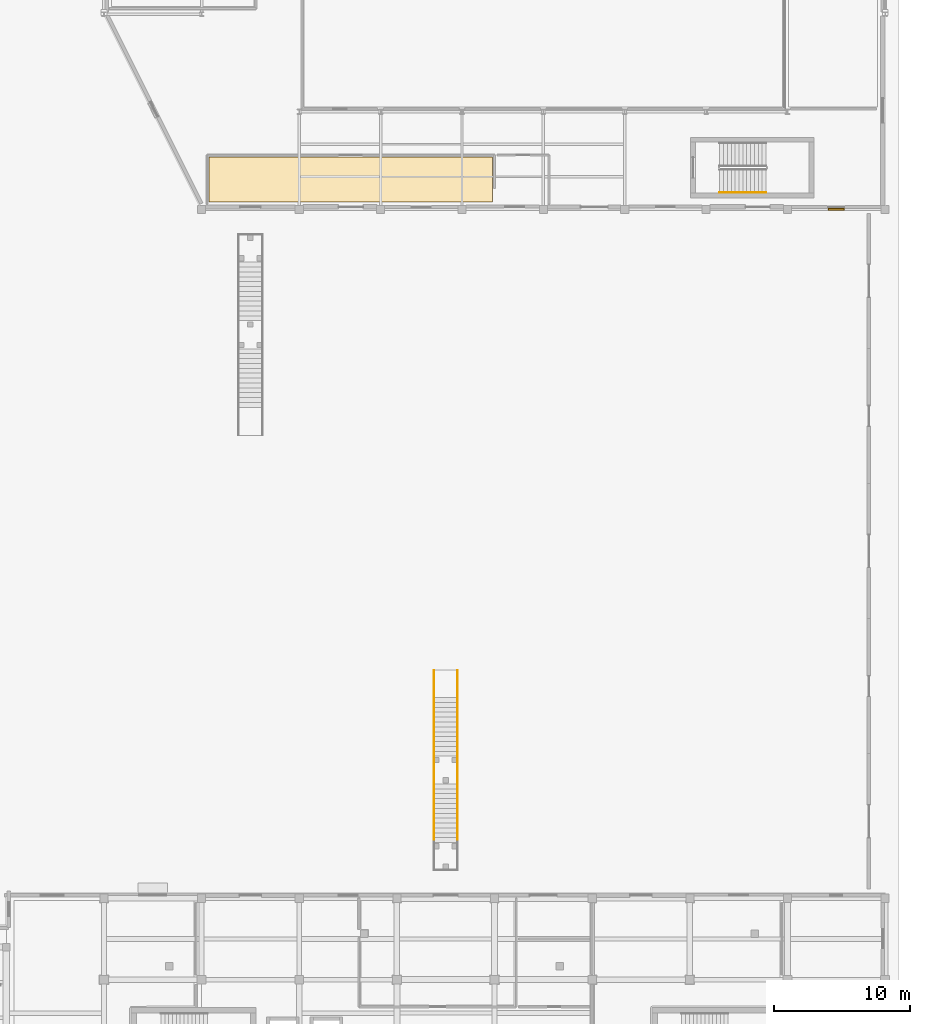
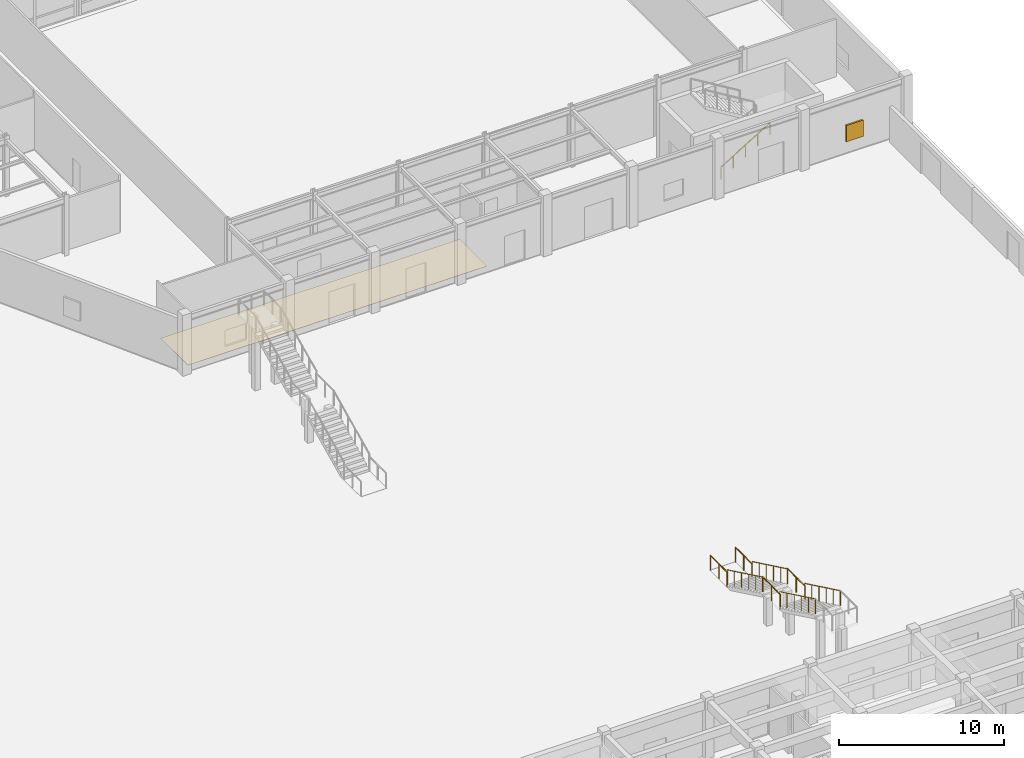
# One storey, part 56 of 58: 9 railings, 1 covering, 1 shading device.
"""IFC4 building model written with IfcOpenShell, lengths in metres."""

from ifc_helpers import new_model, si_unit, direction, frame, origin, origin_2d, place, context, subcontext, project, spatial, polyline, rectangle, circle, outline, extrude, material, layer, layer_set, type_object, element, save


model = new_model("IFC4")

# Units and contexts
model_context = context("Model", 3, precision=1e-05, world=origin(), true_north=direction((0.0, 1.0)))
body_context = subcontext(model_context, "Body", "Model", "MODEL_VIEW")
ifc_project = project(units=[si_unit("LENGTHUNIT", "METRE"), si_unit("AREAUNIT", "SQUARE_METRE"), si_unit("VOLUMEUNIT", "CUBIC_METRE"), si_unit("PLANEANGLEUNIT", "RADIAN"), si_unit("MASSUNIT", "GRAM", prefix="KILO")], contexts=[model_context])

# Site, building, storey
site_placement = place(None, origin())
site = spatial("IfcSite", under=ifc_project, at=site_placement, CompositionType="ELEMENT")
building_placement = place(site_placement, origin())
building = spatial("IfcBuilding", under=site, at=building_placement, Name="Brisavento Harbour Community Centre", CompositionType="ELEMENT")
storey_placement = place(building_placement, origin())
storey = spatial("IfcBuildingStorey", under=building, at=storey_placement, Name="L00", CompositionType="ELEMENT", Elevation=0.0)

# Covering
ifc_material_1 = material(Name="Polished marine terrazzo tile", Category="other")
ifc_layer_1 = layer(ifc_material_1, 0.02001953125, Name="Polished marine terrazzo tile")
ifc_layer_set_1 = layer_set([ifc_layer_1], Name="Polished marine terrazzo tile")
covering_type = type_object("IfcCoveringType", Name="COV-FLR-TRZ", PredefinedType="FLOORING", material=ifc_layer_set_1)
covering_placement = place(storey_placement, origin())
element("IfcCovering", 1, at=covering_placement, inside=storey, type_object=covering_type, Name="L00 Sports Reception Foyer terrazzo flooring", PredefinedType="FLOORING", context=body_context, shape_type="SweptSolid", body=[
    extrude(outline(polyline([(143.85009765625, 79.75), (143.85009765625, 83.050048828125), (122.949951171875, 83.050048828125), (122.949951171875, 79.75), (143.85009765625, 79.75)])), origin(), (0.0, 0.0, 1.0), 0.02001953125),
])

# Railings
ifc_material_2 = material(Name="Stainless steel 1.4401", Category="steel")
railing_type_1 = type_object("IfcRailingType", Name="RL-ST-GUARD", PredefinedType="GUARDRAIL", material=ifc_material_2)
railing_1_placement = place(storey_placement, frame((139.530029296875, 45.2099609375, 0.0)))
element("IfcRailing", 2, at=railing_1_placement, inside=storey, type_object=railing_type_1, Name="L00 MST-05 L L1 stair guard", PredefinedType="GUARDRAIL", context=body_context, shape_type="SweptSolid", body=[
    extrude(circle(Radius=0.02392578125, at=origin_2d()), frame((0.0, 0.0, 1.09619140625), z_axis=(0.0, -1.0, 0.0), x_axis=(1.0, 0.0, 0.0)), (0.0, 0.0, 1.0), 2.010009765625),
    extrude(circle(Radius=0.02099609375, at=origin_2d()), origin(), (0.0, 0.0, 1.0), 1.072021484375),
    extrude(circle(Radius=0.02099609375, at=origin_2d()), frame((0.0, -1.0048828125, 0.0)), (0.0, 0.0, 1.0), 1.072021484375),
    extrude(circle(Radius=0.02099609375, at=origin_2d()), frame((0.0, -2.010009765625, 0.0)), (0.0, 0.0, 1.0), 1.072021484375),
])
railing_2_placement = place(storey_placement, frame((139.530029296875, 43.199951171875, 0.173095703125)))
element("IfcRailing", 3, at=railing_2_placement, inside=storey, type_object=railing_type_1, Name="L00 MST-05 L F1 stair guard", PredefinedType="GUARDRAIL", context=body_context, shape_type="SweptSolid", body=[
    extrude(circle(Radius=0.02392578125, at=origin_2d()), frame((0.0, 0.0, 1.09619140625), z_axis=(0.0, -0.901256631912, 0.433285683395), x_axis=(1.0, 0.0, 0.0)), (0.0, 0.0, 1.0), 4.79345703125),
    extrude(circle(Radius=0.02099609375, at=origin_2d()), origin(), (0.0, 0.0, 1.0), 1.072021484375),
    extrude(circle(Radius=0.02099609375, at=origin_2d()), frame((0.0, -0.864013671875, 0.415283203125)), (0.0, 0.0, 1.0), 1.072021484375),
    extrude(circle(Radius=0.02099609375, at=origin_2d()), frame((0.0, -1.72802734375, 0.830810546875)), (0.0, 0.0, 1.0), 1.072021484375),
    extrude(circle(Radius=0.02099609375, at=origin_2d()), frame((0.0, -2.592041015625, 1.24609375)), (0.0, 0.0, 1.0), 1.072021484375),
    extrude(circle(Radius=0.02099609375, at=origin_2d()), frame((0.0, -3.4560546875, 1.66162109375)), (0.0, 0.0, 1.0), 1.072021484375),
    extrude(circle(Radius=0.02099609375, at=origin_2d()), frame((0.0, -4.320068359375, 2.076904296875)), (0.0, 0.0, 1.0), 1.072021484375),
])
railing_3_placement = place(storey_placement, frame((139.530029296875, 38.919921875, 2.25)))
element("IfcRailing", 4, at=railing_3_placement, inside=storey, type_object=railing_type_1, Name="L00 MST-05 L L2 stair guard", PredefinedType="GUARDRAIL", context=body_context, shape_type="SweptSolid", body=[
    extrude(circle(Radius=0.02392578125, at=origin_2d()), frame((0.0, 0.0, 1.09619140625), z_axis=(0.0, -1.0, 0.0), x_axis=(1.0, 0.0, 0.0)), (0.0, 0.0, 1.0), 2.1298828125),
    extrude(circle(Radius=0.02099609375, at=origin_2d()), origin(), (0.0, 0.0, 1.0), 1.072021484375),
    extrude(circle(Radius=0.02099609375, at=origin_2d()), frame((0.0, -1.06494140625, 0.0)), (0.0, 0.0, 1.0), 1.072021484375),
    extrude(circle(Radius=0.02099609375, at=origin_2d()), frame((0.0, -2.1298828125, 0.0)), (0.0, 0.0, 1.0), 1.072021484375),
])
railing_4_placement = place(storey_placement, frame((139.530029296875, 36.830078125, 2.423095703125)))
element("IfcRailing", 5, at=railing_4_placement, inside=storey, type_object=railing_type_1, Name="L00 MST-05 L F2 stair guard", PredefinedType="GUARDRAIL", context=body_context, shape_type="SweptSolid", body=[
    extrude(circle(Radius=0.02392578125, at=origin_2d()), frame((0.0, 0.0, 1.09619140625), z_axis=(0.0, -0.901256631912, 0.433285683395), x_axis=(1.0, 0.0, 0.0)), (0.0, 0.0, 1.0), 4.79345703125),
    extrude(circle(Radius=0.02099609375, at=origin_2d()), origin(), (0.0, 0.0, 1.0), 1.072021484375),
    extrude(circle(Radius=0.02099609375, at=origin_2d()), frame((0.0, -0.864013671875, 0.415283203125)), (0.0, 0.0, 1.0), 1.072021484375),
    extrude(circle(Radius=0.02099609375, at=origin_2d()), frame((0.0, -1.72802734375, 0.830810546875)), (0.0, 0.0, 1.0), 1.072021484375),
    extrude(circle(Radius=0.02099609375, at=origin_2d()), frame((0.0, -2.592041015625, 1.24609375)), (0.0, 0.0, 1.0), 1.072021484375),
    extrude(circle(Radius=0.02099609375, at=origin_2d()), frame((0.0, -3.4560546875, 1.66162109375)), (0.0, 0.0, 1.0), 1.072021484375),
    extrude(circle(Radius=0.02099609375, at=origin_2d()), frame((0.0, -4.320068359375, 2.076904296875)), (0.0, 0.0, 1.0), 1.072021484375),
])
railing_5_placement = place(storey_placement, frame((141.27001953125, 45.2099609375, 0.0)))
element("IfcRailing", 6, at=railing_5_placement, inside=storey, type_object=railing_type_1, Name="L00 MST-05 R L1 stair guard", PredefinedType="GUARDRAIL", context=body_context, shape_type="SweptSolid", body=[
    extrude(circle(Radius=0.02392578125, at=origin_2d()), frame((0.0, 0.0, 1.09619140625), z_axis=(0.0, -1.0, 0.0), x_axis=(1.0, 0.0, 0.0)), (0.0, 0.0, 1.0), 2.010009765625),
    extrude(circle(Radius=0.02099609375, at=origin_2d()), origin(), (0.0, 0.0, 1.0), 1.072021484375),
    extrude(circle(Radius=0.02099609375, at=origin_2d()), frame((0.0, -1.0048828125, 0.0)), (0.0, 0.0, 1.0), 1.072021484375),
    extrude(circle(Radius=0.02099609375, at=origin_2d()), frame((0.0, -2.010009765625, 0.0)), (0.0, 0.0, 1.0), 1.072021484375),
])
railing_6_placement = place(storey_placement, frame((141.27001953125, 43.199951171875, 0.173095703125)))
element("IfcRailing", 7, at=railing_6_placement, inside=storey, type_object=railing_type_1, Name="L00 MST-05 R F1 stair guard", PredefinedType="GUARDRAIL", context=body_context, shape_type="SweptSolid", body=[
    extrude(circle(Radius=0.02392578125, at=origin_2d()), frame((0.0, 0.0, 1.09619140625), z_axis=(0.0, -0.901256631912, 0.433285683395), x_axis=(1.0, 0.0, 0.0)), (0.0, 0.0, 1.0), 4.79345703125),
    extrude(circle(Radius=0.02099609375, at=origin_2d()), origin(), (0.0, 0.0, 1.0), 1.072021484375),
    extrude(circle(Radius=0.02099609375, at=origin_2d()), frame((0.0, -0.864013671875, 0.415283203125)), (0.0, 0.0, 1.0), 1.072021484375),
    extrude(circle(Radius=0.02099609375, at=origin_2d()), frame((0.0, -1.72802734375, 0.830810546875)), (0.0, 0.0, 1.0), 1.072021484375),
    extrude(circle(Radius=0.02099609375, at=origin_2d()), frame((0.0, -2.592041015625, 1.24609375)), (0.0, 0.0, 1.0), 1.072021484375),
    extrude(circle(Radius=0.02099609375, at=origin_2d()), frame((0.0, -3.4560546875, 1.66162109375)), (0.0, 0.0, 1.0), 1.072021484375),
    extrude(circle(Radius=0.02099609375, at=origin_2d()), frame((0.0, -4.320068359375, 2.076904296875)), (0.0, 0.0, 1.0), 1.072021484375),
])
railing_7_placement = place(storey_placement, frame((141.27001953125, 38.919921875, 2.25)))
element("IfcRailing", 8, at=railing_7_placement, inside=storey, type_object=railing_type_1, Name="L00 MST-05 R L2 stair guard", PredefinedType="GUARDRAIL", context=body_context, shape_type="SweptSolid", body=[
    extrude(circle(Radius=0.02392578125, at=origin_2d()), frame((0.0, 0.0, 1.09619140625), z_axis=(0.0, -1.0, 0.0), x_axis=(1.0, 0.0, 0.0)), (0.0, 0.0, 1.0), 2.1298828125),
    extrude(circle(Radius=0.02099609375, at=origin_2d()), origin(), (0.0, 0.0, 1.0), 1.072021484375),
    extrude(circle(Radius=0.02099609375, at=origin_2d()), frame((0.0, -1.06494140625, 0.0)), (0.0, 0.0, 1.0), 1.072021484375),
    extrude(circle(Radius=0.02099609375, at=origin_2d()), frame((0.0, -2.1298828125, 0.0)), (0.0, 0.0, 1.0), 1.072021484375),
])
railing_8_placement = place(storey_placement, frame((141.27001953125, 36.830078125, 2.423095703125)))
element("IfcRailing", 9, at=railing_8_placement, inside=storey, type_object=railing_type_1, Name="L00 MST-05 R F2 stair guard", PredefinedType="GUARDRAIL", context=body_context, shape_type="SweptSolid", body=[
    extrude(circle(Radius=0.02392578125, at=origin_2d()), frame((0.0, 0.0, 1.09619140625), z_axis=(0.0, -0.901256631912, 0.433285683395), x_axis=(1.0, 0.0, 0.0)), (0.0, 0.0, 1.0), 4.79345703125),
    extrude(circle(Radius=0.02099609375, at=origin_2d()), origin(), (0.0, 0.0, 1.0), 1.072021484375),
    extrude(circle(Radius=0.02099609375, at=origin_2d()), frame((0.0, -0.864013671875, 0.415283203125)), (0.0, 0.0, 1.0), 1.072021484375),
    extrude(circle(Radius=0.02099609375, at=origin_2d()), frame((0.0, -1.72802734375, 0.830810546875)), (0.0, 0.0, 1.0), 1.072021484375),
    extrude(circle(Radius=0.02099609375, at=origin_2d()), frame((0.0, -2.592041015625, 1.24609375)), (0.0, 0.0, 1.0), 1.072021484375),
    extrude(circle(Radius=0.02099609375, at=origin_2d()), frame((0.0, -3.4560546875, 1.66162109375)), (0.0, 0.0, 1.0), 1.072021484375),
    extrude(circle(Radius=0.02099609375, at=origin_2d()), frame((0.0, -4.320068359375, 2.076904296875)), (0.0, 0.0, 1.0), 1.072021484375),
])
railing_type_2 = type_object("IfcRailingType", Name="RL-ST-HAND", PredefinedType="HANDRAIL", material=ifc_material_2)
railing_9_placement = place(storey_placement, frame((160.60009765625, 80.449951171875, 0.173095703125)))
element("IfcRailing", 10, at=railing_9_placement, inside=storey, type_object=railing_type_2, Name="L00 ST-06 stair handrail 1", PredefinedType="HANDRAIL", context=body_context, shape_type="SweptSolid", body=[
    extrude(circle(Radius=0.02392578125, at=origin_2d()), frame((0.0, 0.0, 0.8759765625), z_axis=(0.854729506542, 0.0, 0.519073665916), x_axis=(0.0, 1.0, 0.0)), (0.0, 0.0, 1.0), 4.001220703125),
    extrude(circle(Radius=0.02099609375, at=origin_2d()), origin(), (0.0, 0.0, 1.0), 0.851806640625),
    extrude(circle(Radius=0.02099609375, at=origin_2d()), frame((0.85498046875, 0.0, 0.519287109375)), (0.0, 0.0, 1.0), 0.851806640625),
    extrude(circle(Radius=0.02099609375, at=origin_2d()), frame((1.7099609375, 0.0, 1.03857421875)), (0.0, 0.0, 1.0), 0.851806640625),
    extrude(circle(Radius=0.02099609375, at=origin_2d()), frame((2.56494140625, 0.0, 1.5576171875)), (0.0, 0.0, 1.0), 0.851806640625),
    extrude(circle(Radius=0.02099609375, at=origin_2d()), frame((3.419921875, 0.0, 2.076904296875)), (0.0, 0.0, 1.0), 0.851806640625),
])

# Shading device
ifc_material_3 = material(Name="Marine-anodised aluminium AW-6063-T6", Category="aluminium")
ifc_layer_2 = layer(ifc_material_3, 0.1201171875, Name="Marine-anodised aluminium AW-6063-T6")
ifc_layer_set_2 = layer_set([ifc_layer_2], Name="Marine-anodised aluminium AW-6063-T6")
shading_device_type = type_object("IfcShadingDeviceType", Name="SHD-LOUVRE", PredefinedType="JALOUSIE", material=ifc_layer_set_2)
shading_device_placement = place(storey_placement, frame((169.199951171875, 79.205078125, 0.89990234375), z_axis=(0.0, 0.0, 1.0), x_axis=(-1.0, 0.0, 0.0)))
element("IfcShadingDevice", 11, at=shading_device_placement, inside=storey, type_object=shading_device_type, Name="L00 hurricane storm louvre 06", PredefinedType="JALOUSIE", context=body_context, shape_type="SweptSolid", body=[
    extrude(rectangle(XDim=1.199951171875, YDim=0.1201171875, at=origin_2d()), origin(), (0.0, 0.0, 1.0), 1.199951171875),
])

save(model, "model.ifc")
